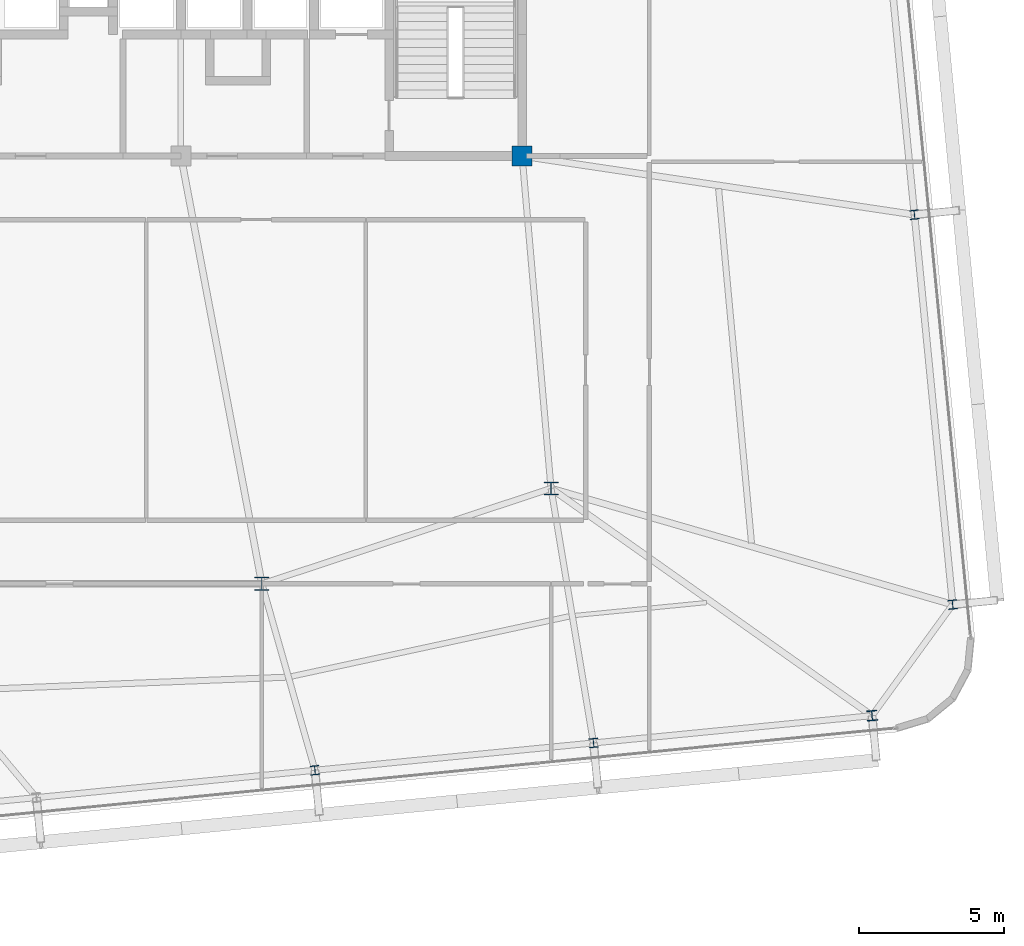
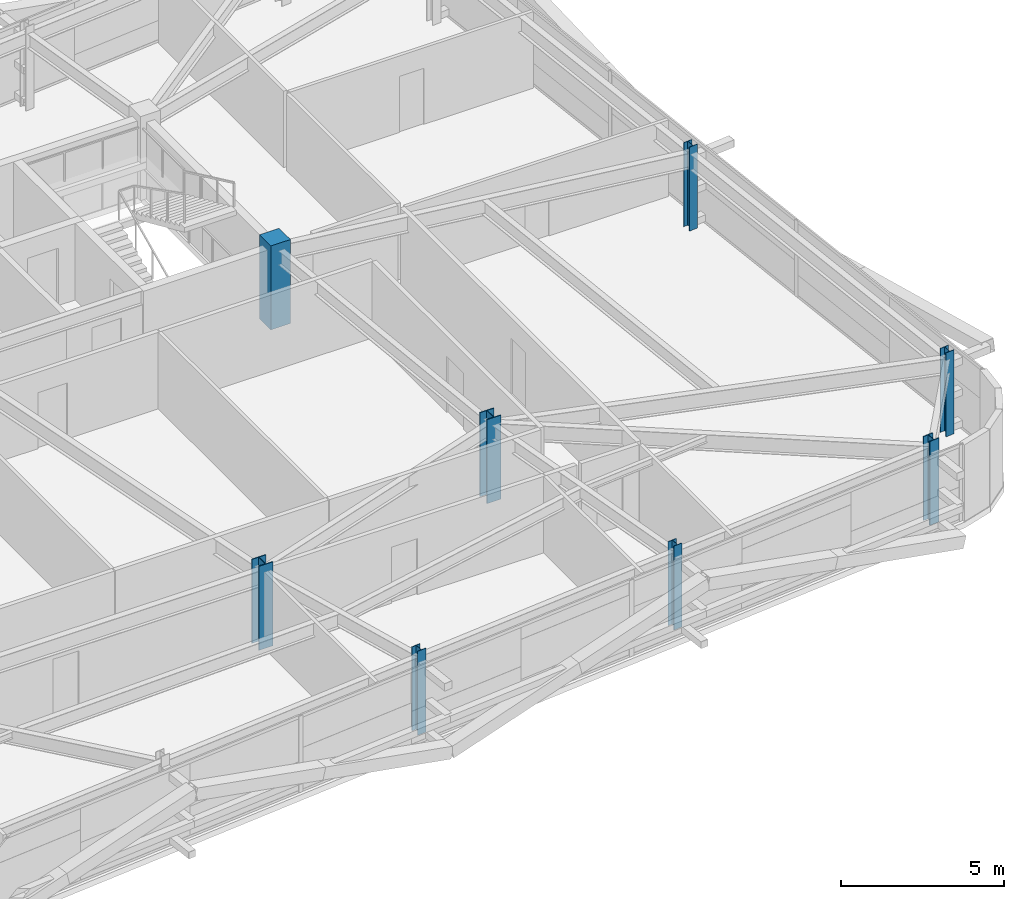
# One storey, part 2 of 47: 8 columns.
"""IFC4 building model written with IfcOpenShell, lengths in metres."""

from ifc_helpers import new_model, si_unit, direction, frame, origin, origin_2d, place, context, subcontext, project, spatial, rectangle, i_section, extrude, source, transform, mapped, material, material_profile, profile_set, type_object, element, save


model = new_model("IFC4")

# Units and contexts
model_context = context("Model", 3, precision=1e-05, world=origin(), true_north=direction((0.0, 1.0)))
body_context = subcontext(model_context, "Body", "Model", "MODEL_VIEW")
ifc_project = project(units=[si_unit("LENGTHUNIT", "METRE"), si_unit("AREAUNIT", "SQUARE_METRE"), si_unit("VOLUMEUNIT", "CUBIC_METRE"), si_unit("PLANEANGLEUNIT", "RADIAN"), si_unit("MASSUNIT", "GRAM", prefix="KILO")], contexts=[model_context])

# Site, building, storey
site_placement = place(None, origin())
site = spatial("IfcSite", under=ifc_project, at=site_placement, CompositionType="ELEMENT")
building_placement = place(site_placement, origin())
building = spatial("IfcBuilding", under=site, at=building_placement, Name="Taldren Reach Tower", CompositionType="ELEMENT")
storey_placement = place(building_placement, frame((0.0, 0.0, 109.199951171875)))
storey = spatial("IfcBuildingStorey", under=building, at=storey_placement, Name="L33", CompositionType="ELEMENT", Elevation=109.199951171875)

# Columns
ifc_material_1 = material(Name="Steel Gr 350 (350PLUS)", Category="steel")
ifc_material_profile_1 = material_profile(ifc_material_1, i_section(OverallWidth=0.5, OverallDepth=0.464111328125, WebThickness=0.02197265625, FlangeThickness=0.033935546875, at=origin_2d()), Name="500WC340")
ifc_profile_set_1 = profile_set([ifc_material_profile_1], Name="Steel Gr 350 (350PLUS)")
column_type_1 = type_object("IfcColumnType", Name="COL-WC500B", PredefinedType="COLUMN", material=ifc_profile_set_1)
shared_shape_1 = source(origin(), body_context, "Body", "SweptSolid", [
    extrude(i_section(OverallWidth=0.5, OverallDepth=0.464111328125, WebThickness=0.02197265625, FlangeThickness=0.033935546875, at=origin_2d()), origin(), (0.0, 0.0, 1.0), 3.150146484375),
])
for number, where, z_axis, x_axis, name in (
    (1, (42.0, 9.199951171875, 0.0), (0.0, 0.0, 1.0), (1.0, 0.0, 0.0), "Mega column MC-PJE L33"),
    (2, (52.0, 12.5, 0.0), (0.0, 0.0, 1.0), (1.0, 0.0, 0.0), "Mega column MC-SE L33"),
):
    element("IfcColumn", number, at=place(storey_placement, frame(where, z_axis=z_axis, x_axis=x_axis)), inside=storey, type_object=column_type_1, Name=name, PredefinedType="COLUMN", context=body_context, shape_type="MappedRepresentation", body=[
        mapped(shared_shape_1, transform((0.0, 0.0, 0.0), scale=1.0)),
    ])
ifc_material_2 = material(Name="Concrete S65 (65 MPa)", Category="concrete")
ifc_material_profile_2 = material_profile(ifc_material_2, rectangle(XDim=0.699951171875, YDim=0.699951171875, at=origin_2d()), Name="RC-700x700")
ifc_profile_set_2 = profile_set([ifc_material_profile_2], Name="Concrete S65 (65 MPa)")
column_type_2 = type_object("IfcColumnType", Name="COL-RC700", PredefinedType="COLUMN", material=ifc_profile_set_2)
shared_shape_2 = source(origin(), body_context, "Body", "SweptSolid", [
    extrude(rectangle(XDim=0.699951171875, YDim=0.699951171875, at=origin_2d()), origin(), (0.0, 0.0, 1.0), 3.150146484375),
])
column_1_placement = place(storey_placement, frame((51.0, 24.0, 0.0), z_axis=(0.0, 0.0, 1.0), x_axis=(1.0, 0.0, 0.0)))
element("IfcColumn", 3, at=column_1_placement, inside=storey, type_object=column_type_2, Name="Mega column MC-C4 L33", PredefinedType="COLUMN", context=body_context, shape_type="MappedRepresentation", body=[
    mapped(shared_shape_2, transform((0.0, 0.0, 0.0), scale=1.0)),
])
ifc_material_profile_3 = material_profile(ifc_material_1, i_section(OverallWidth=0.35009765625, OverallDepth=0.35595703125, WebThickness=0.01806640625, FlangeThickness=0.028076171875, at=origin_2d()), Name="350WC197")
ifc_profile_set_3 = profile_set([ifc_material_profile_3], Name="Steel Gr 350 (350PLUS)")
column_type_3 = type_object("IfcColumnType", Name="COL-WC350", PredefinedType="COLUMN", material=ifc_profile_set_3)
shared_shape_3 = source(origin(), body_context, "Body", "SweptSolid", [
    extrude(i_section(OverallWidth=0.35009765625, OverallDepth=0.35595703125, WebThickness=0.01806640625, FlangeThickness=0.028076171875, at=origin_2d()), origin(), (0.0, 0.0, 1.0), 3.150146484375),
])
column_2_placement = place(storey_placement, frame((63.103271484375, 4.64306640625, 0.0), z_axis=(0.0, 0.0, 1.0), x_axis=(0.995227399982, 0.097582899759, 0.0)))
element("IfcColumn", 4, at=column_2_placement, inside=storey, type_object=column_type_3, Name="Block B2 perimeter column S6 L33", PredefinedType="COLUMN", context=body_context, shape_type="MappedRepresentation", body=[
    mapped(shared_shape_3, transform((0.0, 0.0, 0.0), scale=1.0)),
])
ifc_material_profile_4 = material_profile(ifc_material_1, i_section(OverallWidth=0.306884765625, OverallDepth=0.31494140625, WebThickness=0.011962890625, FlangeThickness=0.018798828125, at=origin_2d()), Name="310UC118")
ifc_profile_set_4 = profile_set([ifc_material_profile_4], Name="Steel Gr 350 (350PLUS)")
column_type_4 = type_object("IfcColumnType", Name="COL-UC310B", PredefinedType="COLUMN", material=ifc_profile_set_4)
shared_shape_4 = source(origin(), body_context, "Body", "SweptSolid", [
    extrude(i_section(OverallWidth=0.306884765625, OverallDepth=0.31494140625, WebThickness=0.011962890625, FlangeThickness=0.018798828125, at=origin_2d()), origin(), (0.0, 0.0, 1.0), 3.150146484375),
])
for number, where, z_axis, x_axis, name in (
    (5, (43.83544921875, 2.75390625, 0.0), (0.0, 0.0, 1.0), (0.995227399982, 0.097582899759, 0.0), "Block B2 perimeter column S4 L33"),
    (6, (53.469482421875, 3.698486328125, 0.0), (0.0, 0.0, 1.0), (0.995227399982, 0.097582899759, 0.0), "Block B2 perimeter column S5 L33"),
    (7, (65.8916015625, 8.483642578125, 0.0), (0.0, 0.0, 1.0), (0.995227399982, 0.097582899759, 0.0), "Block B2 perimeter column E1 L33"),
    (8, (64.569580078125, 21.968994140625, 0.0), (0.0, 0.0, 1.0), (0.995227399982, 0.097582899759, 0.0), "Block B2 perimeter column E2 L33"),
):
    element("IfcColumn", number, at=place(storey_placement, frame(where, z_axis=z_axis, x_axis=x_axis)), inside=storey, type_object=column_type_4, Name=name, PredefinedType="COLUMN", context=body_context, shape_type="MappedRepresentation", body=[
        mapped(shared_shape_4, transform((0.0, 0.0, 0.0), scale=1.0)),
    ])

save(model, "model.ifc")
